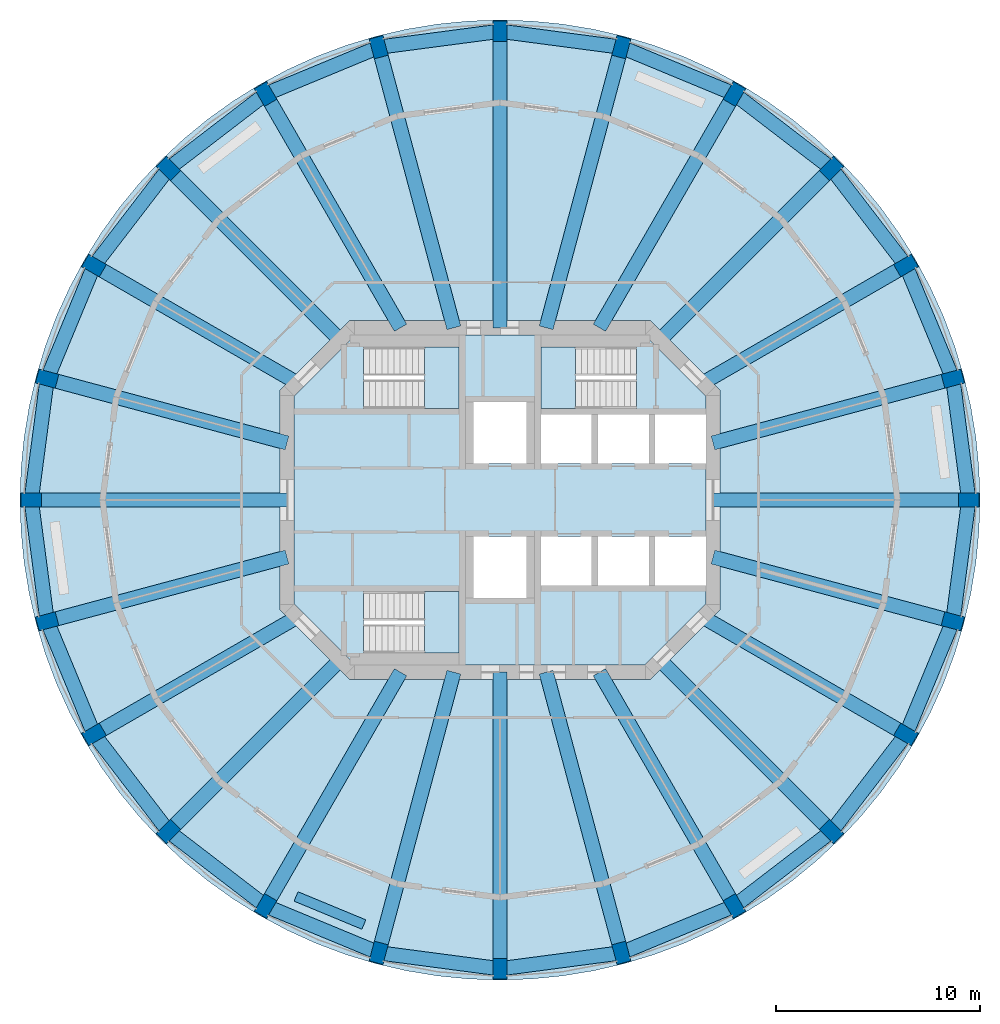
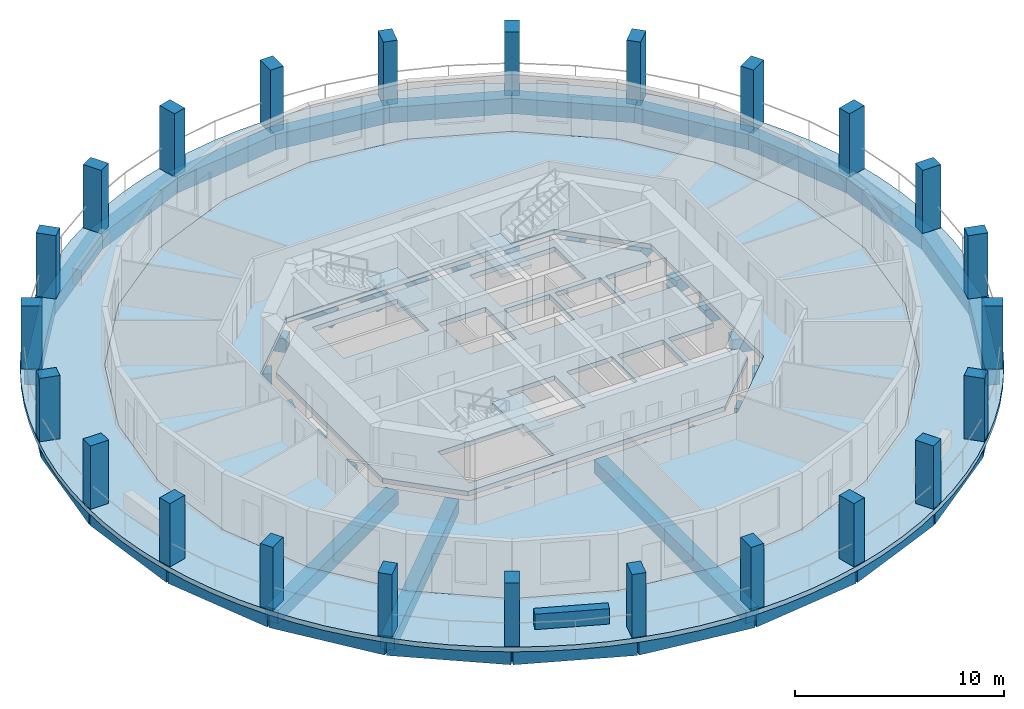
# One storey, part 1 of 8: 48 beams, 24 columns, 6 slabs, 1 wall, 3 elements without a shape of their own.
"""IFC4 building model written with IfcOpenShell, lengths in metres."""

from ifc_helpers import new_model, si_unit, direction, frame, frame_2d, origin, origin_2d, place, context, subcontext, project, spatial, polyline, rectangle, outline, extrude, material, layer, layer_set, material_profile, profile_set, type_object, element, aggregate, save


model = new_model("IFC4")

# Units and contexts
model_context = context("Model", 3, precision=1e-05, world=origin(), true_north=direction((0.0, 1.0)))
body_context = subcontext(model_context, "Body", "Model", "MODEL_VIEW")
ifc_project = project(units=[si_unit("LENGTHUNIT", "METRE"), si_unit("AREAUNIT", "SQUARE_METRE"), si_unit("VOLUMEUNIT", "CUBIC_METRE"), si_unit("PLANEANGLEUNIT", "RADIAN"), si_unit("MASSUNIT", "GRAM", prefix="KILO")], contexts=[model_context])

# Site, building, storey
site_placement = place(None, origin())
site = spatial("IfcSite", under=ifc_project, at=site_placement, CompositionType="ELEMENT")
building_placement = place(site_placement, origin())
building = spatial("IfcBuilding", under=site, at=building_placement, Name="Torre Triforio", CompositionType="ELEMENT")
storey_placement = place(building_placement, frame((0.0, 0.0, 200.199951171875)))
storey = spatial("IfcBuildingStorey", under=building, at=storey_placement, Name="L45", CompositionType="ELEMENT", Elevation=200.199951171875)

# Columns
ifc_material_1 = material(Name="Concrete C50", Category="concrete")
ifc_material_profile_1 = material_profile(ifc_material_1, rectangle(XDim=0.699951171875, YDim=1.0, at=origin_2d()), Name="RC 700x1000")
ifc_profile_set_1 = profile_set([ifc_material_profile_1], Name="Concrete C50")
column_type = type_object("IfcColumnType", Name="Pier RC 700x1000 C50", PredefinedType="COLUMN", material=ifc_profile_set_1)
for number, where, z_axis, x_axis, name in (
    (1, (23.0, 0.0, 0.0), (0.0, 0.0, 1.0), (0.0, 1.0, 0.0), "COL.R.L45.00"),
    (2, (22.21630859375, 5.952880859375, 0.0), (0.0, 0.0, 1.0), (-0.258819045103, 0.965925826289, 0.0), "COL.R.L45.01"),
    (3, (19.918701171875, 11.5, 0.0), (0.0, 0.0, 1.0), (-0.5, 0.866025403784, 0.0), "COL.R.L45.02"),
    (4, (16.263427734375, 16.263427734375, 0.0), (0.0, 0.0, 1.0), (-0.707106781187, 0.707106781187, 0.0), "COL.R.L45.03"),
    (5, (11.5, 19.918701171875, 0.0), (0.0, 0.0, 1.0), (-0.866025403784, 0.5, 0.0), "COL.R.L45.04"),
    (6, (5.952880859375, 22.21630859375, 0.0), (0.0, 0.0, 1.0), (-0.965925826289, 0.258819045103, 0.0), "COL.R.L45.05"),
    (7, (0.0, 23.0, 0.0), (0.0, 0.0, 1.0), (-1.0, 0.0, 0.0), "COL.R.L45.06"),
    (8, (-5.952880859375, 22.21630859375, 0.0), (0.0, 0.0, 1.0), (-0.965925826289, -0.258819045103, 0.0), "COL.R.L45.07"),
    (9, (-11.5, 19.918701171875, 0.0), (0.0, 0.0, 1.0), (-0.866025403784, -0.5, 0.0), "COL.R.L45.08"),
    (10, (-16.263427734375, 16.263427734375, 0.0), (0.0, 0.0, 1.0), (-0.707106781187, -0.707106781187, 0.0), "COL.R.L45.09"),
    (11, (-19.918701171875, 11.5, 0.0), (0.0, 0.0, 1.0), (-0.5, -0.866025403784, 0.0), "COL.R.L45.10"),
    (12, (-22.21630859375, 5.952880859375, 0.0), (0.0, 0.0, 1.0), (-0.258819045103, -0.965925826289, 0.0), "COL.R.L45.11"),
    (13, (-23.0, 0.0, 0.0), (0.0, 0.0, 1.0), (0.0, -1.0, 0.0), "COL.R.L45.12"),
    (14, (-22.21630859375, -5.952880859375, 0.0), (0.0, 0.0, 1.0), (0.258819045103, -0.965925826289, 0.0), "COL.R.L45.13"),
    (15, (-19.918701171875, -11.5, 0.0), (0.0, 0.0, 1.0), (0.5, -0.866025403784, 0.0), "COL.R.L45.14"),
    (16, (-16.263427734375, -16.263427734375, 0.0), (0.0, 0.0, 1.0), (0.707106781187, -0.707106781187, 0.0), "COL.R.L45.15"),
    (17, (-11.5, -19.918701171875, 0.0), (0.0, 0.0, 1.0), (0.866025403784, -0.5, 0.0), "COL.R.L45.16"),
    (18, (-5.952880859375, -22.21630859375, 0.0), (0.0, 0.0, 1.0), (0.965925826289, -0.258819045103, 0.0), "COL.R.L45.17"),
    (19, (0.0, -23.0, 0.0), (0.0, 0.0, 1.0), (1.0, 0.0, 0.0), "COL.R.L45.18"),
    (20, (5.952880859375, -22.21630859375, 0.0), (0.0, 0.0, 1.0), (0.965925826289, 0.258819045103, 0.0), "COL.R.L45.19"),
    (21, (11.5, -19.918701171875, 0.0), (0.0, 0.0, 1.0), (0.866025403784, 0.5, 0.0), "COL.R.L45.20"),
    (22, (16.263427734375, -16.263427734375, 0.0), (0.0, 0.0, 1.0), (0.707106781187, 0.707106781187, 0.0), "COL.R.L45.21"),
    (23, (19.918701171875, -11.5, 0.0), (0.0, 0.0, 1.0), (0.5, 0.866025403784, 0.0), "COL.R.L45.22"),
    (24, (22.21630859375, -5.952880859375, 0.0), (0.0, 0.0, 1.0), (0.258819045103, 0.965925826289, 0.0), "COL.R.L45.23"),
):
    element("IfcColumn", number, at=place(storey_placement, frame(where, z_axis=z_axis, x_axis=x_axis)), inside=storey, type_object=column_type, Name=name, PredefinedType="COLUMN", context=body_context, shape_type="SweptSolid", body=[
        extrude(rectangle(XDim=0.699951171875, YDim=1.0, at=origin_2d()), origin(), (0.0, 0.0, 1.0), 3.699951171875),
    ])

# Beams
ifc_material_2 = material(Name="Concrete C40", Category="concrete")
ifc_material_profile_2 = material_profile(ifc_material_2, rectangle(XDim=0.699951171875, YDim=0.800048828125, at=origin_2d()), Name="RC 700x800")
ifc_profile_set_2 = profile_set([ifc_material_profile_2], Name="Concrete C40")
beam_type_1 = type_object("IfcBeamType", Name="Radial beam RC 700x800 C40", PredefinedType="BEAM", material=ifc_profile_set_2)
beam_1_placement = place(storey_placement, frame((10.449951171875, 0.0, -0.679931640625), z_axis=(1.0, 0.0, 0.0), x_axis=(0.0, 1.0, 0.0)))
element("IfcBeam", 25, at=beam_1_placement, inside=storey, type_object=beam_type_1, Name="BM.R.L45.00", PredefinedType="BEAM", context=body_context, shape_type="SweptSolid", body=[
    extrude(rectangle(XDim=0.699951171875, YDim=0.800048828125, at=origin_2d()), origin(), (0.0, 0.0, 1.0), 12.550048828125),
])
beam_2_placement = place(storey_placement, frame((10.449951171875, 2.800048828125, -0.679931640625), z_axis=(0.965924880947, 0.258822573141, 0.0), x_axis=(-0.258822573141, 0.965924880947, 0.0)))
element("IfcBeam", 26, at=beam_2_placement, inside=storey, type_object=beam_type_1, Name="BM.R.L45.01", PredefinedType="BEAM", context=body_context, shape_type="SweptSolid", body=[
    extrude(rectangle(XDim=0.699951171875, YDim=0.800048828125, at=origin_2d()), origin(), (0.0, 0.0, 1.0), 12.181396484375),
])
beam_3_placement = place(storey_placement, frame((9.9501953125, 5.744873046875, -0.679931640625), z_axis=(0.866032648629, 0.499987451351, 0.0), x_axis=(-0.499987451351, 0.866032648629, 0.0)))
element("IfcBeam", 27, at=beam_3_placement, inside=storey, type_object=beam_type_1, Name="BM.R.L45.02", PredefinedType="BEAM", context=body_context, shape_type="SweptSolid", body=[
    extrude(rectangle(XDim=0.699951171875, YDim=0.800048828125, at=origin_2d()), origin(), (0.0, 0.0, 1.0), 11.510498046875),
])
beam_4_placement = place(storey_placement, frame((7.847412109375, 7.847412109375, -0.679931640625), z_axis=(0.707106781187, 0.707106781187, 0.0), x_axis=(-0.707106781187, 0.707106781187, 0.0)))
element("IfcBeam", 28, at=beam_4_placement, inside=storey, type_object=beam_type_1, Name="BM.R.L45.03", PredefinedType="BEAM", context=body_context, shape_type="SweptSolid", body=[
    extrude(rectangle(XDim=0.699951171875, YDim=0.800048828125, at=origin_2d()), origin(), (0.0, 0.0, 1.0), 11.902099609375),
])
beam_5_placement = place(storey_placement, frame((4.878662109375, 8.449951171875, -0.679931640625), z_axis=(0.499991617607, 0.866030243307, 0.0), x_axis=(-0.866030243307, 0.499991617607, 0.0)))
element("IfcBeam", 29, at=beam_5_placement, inside=storey, type_object=beam_type_1, Name="BM.R.L45.04", PredefinedType="BEAM", context=body_context, shape_type="SweptSolid", body=[
    extrude(rectangle(XDim=0.699951171875, YDim=0.800048828125, at=origin_2d()), origin(), (0.0, 0.0, 1.0), 13.242919921875),
])
beam_6_placement = place(storey_placement, frame((2.26416015625, 8.449951171875, -0.679931640625), z_axis=(0.258821424719, 0.96592518867, 0.0), x_axis=(-0.96592518867, 0.258821424719, 0.0)))
element("IfcBeam", 30, at=beam_6_placement, inside=storey, type_object=beam_type_1, Name="BM.R.L45.05", PredefinedType="BEAM", context=body_context, shape_type="SweptSolid", body=[
    extrude(rectangle(XDim=0.699951171875, YDim=0.800048828125, at=origin_2d()), origin(), (0.0, 0.0, 1.0), 14.251953125),
])
beam_7_placement = place(storey_placement, frame((0.0, 8.449951171875, -0.679931640625), z_axis=(0.0, 1.0, 0.0), x_axis=(-1.0, 0.0, 0.0)))
element("IfcBeam", 31, at=beam_7_placement, inside=storey, type_object=beam_type_1, Name="BM.R.L45.06", PredefinedType="BEAM", context=body_context, shape_type="SweptSolid", body=[
    extrude(rectangle(XDim=0.699951171875, YDim=0.800048828125, at=origin_2d()), origin(), (0.0, 0.0, 1.0), 14.550048828125),
])
beam_8_placement = place(storey_placement, frame((-2.26416015625, 8.449951171875, -0.679931640625), z_axis=(-0.258821424719, 0.96592518867, 0.0), x_axis=(-0.96592518867, -0.258821424719, 0.0)))
element("IfcBeam", 32, at=beam_8_placement, inside=storey, type_object=beam_type_1, Name="BM.R.L45.07", PredefinedType="BEAM", context=body_context, shape_type="SweptSolid", body=[
    extrude(rectangle(XDim=0.699951171875, YDim=0.800048828125, at=origin_2d()), origin(), (0.0, 0.0, 1.0), 14.251953125),
])
beam_9_placement = place(storey_placement, frame((-4.878662109375, 8.449951171875, -0.679931640625), z_axis=(-0.499991617607, 0.866030243307, 0.0), x_axis=(-0.866030243307, -0.499991617607, 0.0)))
element("IfcBeam", 33, at=beam_9_placement, inside=storey, type_object=beam_type_1, Name="BM.R.L45.08", PredefinedType="BEAM", context=body_context, shape_type="SweptSolid", body=[
    extrude(rectangle(XDim=0.699951171875, YDim=0.800048828125, at=origin_2d()), origin(), (0.0, 0.0, 1.0), 13.242919921875),
])
beam_10_placement = place(storey_placement, frame((-7.847412109375, 7.847412109375, -0.679931640625), z_axis=(-0.707106781187, 0.707106781187, 0.0), x_axis=(-0.707106781187, -0.707106781187, 0.0)))
element("IfcBeam", 34, at=beam_10_placement, inside=storey, type_object=beam_type_1, Name="BM.R.L45.09", PredefinedType="BEAM", context=body_context, shape_type="SweptSolid", body=[
    extrude(rectangle(XDim=0.699951171875, YDim=0.800048828125, at=origin_2d()), origin(), (0.0, 0.0, 1.0), 11.902099609375),
])
beam_11_placement = place(storey_placement, frame((-9.9501953125, 5.744873046875, -0.679931640625), z_axis=(-0.866032648629, 0.499987451351, 0.0), x_axis=(-0.499987451351, -0.866032648629, 0.0)))
element("IfcBeam", 35, at=beam_11_placement, inside=storey, type_object=beam_type_1, Name="BM.R.L45.10", PredefinedType="BEAM", context=body_context, shape_type="SweptSolid", body=[
    extrude(rectangle(XDim=0.699951171875, YDim=0.800048828125, at=origin_2d()), origin(), (0.0, 0.0, 1.0), 11.510498046875),
])
beam_12_placement = place(storey_placement, frame((-10.449951171875, 2.800048828125, -0.679931640625), z_axis=(-0.965924880947, 0.258822573141, 0.0), x_axis=(-0.258822573141, -0.965924880947, 0.0)))
element("IfcBeam", 36, at=beam_12_placement, inside=storey, type_object=beam_type_1, Name="BM.R.L45.11", PredefinedType="BEAM", context=body_context, shape_type="SweptSolid", body=[
    extrude(rectangle(XDim=0.699951171875, YDim=0.800048828125, at=origin_2d()), origin(), (0.0, 0.0, 1.0), 12.181396484375),
])
beam_13_placement = place(storey_placement, frame((-10.449951171875, 0.0, -0.679931640625), z_axis=(-1.0, 0.0, 0.0), x_axis=(0.0, -1.0, 0.0)))
element("IfcBeam", 37, at=beam_13_placement, inside=storey, type_object=beam_type_1, Name="BM.R.L45.12", PredefinedType="BEAM", context=body_context, shape_type="SweptSolid", body=[
    extrude(rectangle(XDim=0.699951171875, YDim=0.800048828125, at=origin_2d()), origin(), (0.0, 0.0, 1.0), 12.550048828125),
])
beam_14_placement = place(storey_placement, frame((-10.449951171875, -2.800048828125, -0.679931640625), z_axis=(-0.965924880947, -0.258822573141, 0.0), x_axis=(0.258822573141, -0.965924880947, 0.0)))
element("IfcBeam", 38, at=beam_14_placement, inside=storey, type_object=beam_type_1, Name="BM.R.L45.13", PredefinedType="BEAM", context=body_context, shape_type="SweptSolid", body=[
    extrude(rectangle(XDim=0.699951171875, YDim=0.800048828125, at=origin_2d()), origin(), (0.0, 0.0, 1.0), 12.181396484375),
])
beam_15_placement = place(storey_placement, frame((-9.9501953125, -5.744873046875, -0.679931640625), z_axis=(-0.866032648629, -0.499987451351, 0.0), x_axis=(0.499987451351, -0.866032648629, 0.0)))
element("IfcBeam", 39, at=beam_15_placement, inside=storey, type_object=beam_type_1, Name="BM.R.L45.14", PredefinedType="BEAM", context=body_context, shape_type="SweptSolid", body=[
    extrude(rectangle(XDim=0.699951171875, YDim=0.800048828125, at=origin_2d()), origin(), (0.0, 0.0, 1.0), 11.510498046875),
])
beam_16_placement = place(storey_placement, frame((-7.847412109375, -7.847412109375, -0.679931640625), z_axis=(-0.707106781187, -0.707106781187, 0.0), x_axis=(0.707106781187, -0.707106781187, 0.0)))
element("IfcBeam", 40, at=beam_16_placement, inside=storey, type_object=beam_type_1, Name="BM.R.L45.15", PredefinedType="BEAM", context=body_context, shape_type="SweptSolid", body=[
    extrude(rectangle(XDim=0.699951171875, YDim=0.800048828125, at=origin_2d()), origin(), (0.0, 0.0, 1.0), 11.902099609375),
])
beam_17_placement = place(storey_placement, frame((-4.878662109375, -8.449951171875, -0.679931640625), z_axis=(-0.499991617607, -0.866030243307, 0.0), x_axis=(0.866030243307, -0.499991617607, 0.0)))
element("IfcBeam", 41, at=beam_17_placement, inside=storey, type_object=beam_type_1, Name="BM.R.L45.16", PredefinedType="BEAM", context=body_context, shape_type="SweptSolid", body=[
    extrude(rectangle(XDim=0.699951171875, YDim=0.800048828125, at=origin_2d()), origin(), (0.0, 0.0, 1.0), 13.242919921875),
])
beam_18_placement = place(storey_placement, frame((-2.26416015625, -8.449951171875, -0.679931640625), z_axis=(-0.258821424719, -0.96592518867, 0.0), x_axis=(0.96592518867, -0.258821424719, 0.0)))
element("IfcBeam", 42, at=beam_18_placement, inside=storey, type_object=beam_type_1, Name="BM.R.L45.17", PredefinedType="BEAM", context=body_context, shape_type="SweptSolid", body=[
    extrude(rectangle(XDim=0.699951171875, YDim=0.800048828125, at=origin_2d()), origin(), (0.0, 0.0, 1.0), 14.251953125),
])
beam_19_placement = place(storey_placement, frame((0.0, -8.449951171875, -0.679931640625), z_axis=(0.0, -1.0, 0.0), x_axis=(1.0, 0.0, 0.0)))
element("IfcBeam", 43, at=beam_19_placement, inside=storey, type_object=beam_type_1, Name="BM.R.L45.18", PredefinedType="BEAM", context=body_context, shape_type="SweptSolid", body=[
    extrude(rectangle(XDim=0.699951171875, YDim=0.800048828125, at=origin_2d()), origin(), (0.0, 0.0, 1.0), 14.550048828125),
])
beam_20_placement = place(storey_placement, frame((2.26416015625, -8.449951171875, -0.679931640625), z_axis=(0.258821424719, -0.96592518867, 0.0), x_axis=(0.96592518867, 0.258821424719, 0.0)))
element("IfcBeam", 44, at=beam_20_placement, inside=storey, type_object=beam_type_1, Name="BM.R.L45.19", PredefinedType="BEAM", context=body_context, shape_type="SweptSolid", body=[
    extrude(rectangle(XDim=0.699951171875, YDim=0.800048828125, at=origin_2d()), origin(), (0.0, 0.0, 1.0), 14.251953125),
])
beam_21_placement = place(storey_placement, frame((4.878662109375, -8.449951171875, -0.679931640625), z_axis=(0.499991617607, -0.866030243307, 0.0), x_axis=(0.866030243307, 0.499991617607, 0.0)))
element("IfcBeam", 45, at=beam_21_placement, inside=storey, type_object=beam_type_1, Name="BM.R.L45.20", PredefinedType="BEAM", context=body_context, shape_type="SweptSolid", body=[
    extrude(rectangle(XDim=0.699951171875, YDim=0.800048828125, at=origin_2d()), origin(), (0.0, 0.0, 1.0), 13.242919921875),
])
beam_22_placement = place(storey_placement, frame((7.847412109375, -7.847412109375, -0.679931640625), z_axis=(0.707106781187, -0.707106781187, 0.0), x_axis=(0.707106781187, 0.707106781187, 0.0)))
element("IfcBeam", 46, at=beam_22_placement, inside=storey, type_object=beam_type_1, Name="BM.R.L45.21", PredefinedType="BEAM", context=body_context, shape_type="SweptSolid", body=[
    extrude(rectangle(XDim=0.699951171875, YDim=0.800048828125, at=origin_2d()), origin(), (0.0, 0.0, 1.0), 11.902099609375),
])
beam_23_placement = place(storey_placement, frame((9.9501953125, -5.744873046875, -0.679931640625), z_axis=(0.866032648629, -0.499987451351, 0.0), x_axis=(0.499987451351, 0.866032648629, 0.0)))
element("IfcBeam", 47, at=beam_23_placement, inside=storey, type_object=beam_type_1, Name="BM.R.L45.22", PredefinedType="BEAM", context=body_context, shape_type="SweptSolid", body=[
    extrude(rectangle(XDim=0.699951171875, YDim=0.800048828125, at=origin_2d()), origin(), (0.0, 0.0, 1.0), 11.510498046875),
])
beam_24_placement = place(storey_placement, frame((10.449951171875, -2.800048828125, -0.679931640625), z_axis=(0.965924880947, -0.258822573141, 0.0), x_axis=(0.258822573141, 0.965924880947, 0.0)))
element("IfcBeam", 48, at=beam_24_placement, inside=storey, type_object=beam_type_1, Name="BM.R.L45.23", PredefinedType="BEAM", context=body_context, shape_type="SweptSolid", body=[
    extrude(rectangle(XDim=0.699951171875, YDim=0.800048828125, at=origin_2d()), origin(), (0.0, 0.0, 1.0), 12.181396484375),
])
ifc_material_profile_3 = material_profile(ifc_material_2, rectangle(XDim=0.699951171875, YDim=0.89990234375, at=origin_2d()), Name="RC 700x900")
ifc_profile_set_3 = profile_set([ifc_material_profile_3], Name="Concrete C40")
beam_type_2 = type_object("IfcBeamType", Name="Spandrel beam RC 700x900 C40", PredefinedType="SPANDREL", material=ifc_profile_set_3)
for number, where, z_axis, x_axis, name in (
    (49, (23.0, 0.0, -0.72998046875), (-0.130522880875, 0.991445297315, 0.0), (-0.991445297315, -0.130522880875, 0.0), "BM.S.L45.00"),
    (50, (22.21630859375, 5.952880859375, -0.72998046875), (-0.382671411433, 0.923884511653, 0.0), (-0.923884511653, -0.382671411433, 0.0), "BM.S.L45.01"),
    (51, (19.918701171875, 11.5, -0.72998046875), (-0.608778912074, 0.793339924758, 0.0), (-0.793339924758, -0.608778912074, 0.0), "BM.S.L45.02"),
    (52, (16.263427734375, 16.263427734375, -0.72998046875), (-0.793339924758, 0.608778912074, 0.0), (-0.608778912074, -0.793339924758, 0.0), "BM.S.L45.03"),
    (53, (11.5, 19.918701171875, -0.72998046875), (-0.923884511653, 0.382671411433, 0.0), (-0.382671411433, -0.923884511653, 0.0), "BM.S.L45.04"),
    (54, (5.952880859375, 22.21630859375, -0.72998046875), (-0.991445297315, 0.130522880875, 0.0), (-0.130522880875, -0.991445297315, 0.0), "BM.S.L45.05"),
    (55, (0.0, 23.0, -0.72998046875), (-0.991445297315, -0.130522880875, 0.0), (0.130522880875, -0.991445297315, 0.0), "BM.S.L45.06"),
    (56, (-5.952880859375, 22.21630859375, -0.72998046875), (-0.923884511653, -0.382671411433, 0.0), (0.382671411433, -0.923884511653, 0.0), "BM.S.L45.07"),
    (57, (-11.5, 19.918701171875, -0.72998046875), (-0.793339924758, -0.608778912074, 0.0), (0.608778912074, -0.793339924758, 0.0), "BM.S.L45.08"),
    (58, (-16.263427734375, 16.263427734375, -0.72998046875), (-0.608778912074, -0.793339924758, 0.0), (0.793339924758, -0.608778912074, 0.0), "BM.S.L45.09"),
    (59, (-19.918701171875, 11.5, -0.72998046875), (-0.382671411433, -0.923884511653, 0.0), (0.923884511653, -0.382671411433, 0.0), "BM.S.L45.10"),
    (60, (-22.21630859375, 5.952880859375, -0.72998046875), (-0.130522880875, -0.991445297315, 0.0), (0.991445297315, -0.130522880875, 0.0), "BM.S.L45.11"),
    (61, (-23.0, 0.0, -0.72998046875), (0.130522880875, -0.991445297315, 0.0), (0.991445297315, 0.130522880875, 0.0), "BM.S.L45.12"),
    (62, (-22.21630859375, -5.952880859375, -0.72998046875), (0.382671411433, -0.923884511653, 0.0), (0.923884511653, 0.382671411433, 0.0), "BM.S.L45.13"),
    (63, (-19.918701171875, -11.5, -0.72998046875), (0.608778912074, -0.793339924758, 0.0), (0.793339924758, 0.608778912074, 0.0), "BM.S.L45.14"),
    (64, (-16.263427734375, -16.263427734375, -0.72998046875), (0.793339924758, -0.608778912074, 0.0), (0.608778912074, 0.793339924758, 0.0), "BM.S.L45.15"),
    (65, (-11.5, -19.918701171875, -0.72998046875), (0.923884511653, -0.382671411433, 0.0), (0.382671411433, 0.923884511653, 0.0), "BM.S.L45.16"),
    (66, (-5.952880859375, -22.21630859375, -0.72998046875), (0.991445297315, -0.130522880875, 0.0), (0.130522880875, 0.991445297315, 0.0), "BM.S.L45.17"),
    (67, (0.0, -23.0, -0.72998046875), (0.991445297315, 0.130522880875, 0.0), (-0.130522880875, 0.991445297315, 0.0), "BM.S.L45.18"),
    (68, (5.952880859375, -22.21630859375, -0.72998046875), (0.923884511653, 0.382671411433, 0.0), (-0.382671411433, 0.923884511653, 0.0), "BM.S.L45.19"),
    (69, (11.5, -19.918701171875, -0.72998046875), (0.793339924758, 0.608778912074, 0.0), (-0.608778912074, 0.793339924758, 0.0), "BM.S.L45.20"),
    (70, (16.263427734375, -16.263427734375, -0.72998046875), (0.608778912074, 0.793339924758, 0.0), (-0.793339924758, 0.608778912074, 0.0), "BM.S.L45.21"),
    (71, (19.918701171875, -11.5, -0.72998046875), (0.382671411433, 0.923884511653, 0.0), (-0.923884511653, 0.382671411433, 0.0), "BM.S.L45.22"),
    (72, (22.21630859375, -5.952880859375, -0.72998046875), (0.130522880875, 0.991445297315, 0.0), (-0.991445297315, 0.130522880875, 0.0), "BM.S.L45.23"),
):
    element("IfcBeam", number, at=place(storey_placement, frame(where, z_axis=z_axis, x_axis=x_axis)), inside=storey, type_object=beam_type_2, Name=name, PredefinedType="SPANDREL", context=body_context, shape_type="SweptSolid", body=[
        extrude(rectangle(XDim=0.699951171875, YDim=0.89990234375, at=origin_2d()), origin(), (0.0, 0.0, 1.0), 6.004150390625),
    ])

# Slabs
ifc_layer_1 = layer(ifc_material_1, 0.280029296875)
ifc_layer_set_1 = layer_set([ifc_layer_1], Name="Concrete C50")
slab_type_1 = type_object("IfcSlabType", Name="Core floor slab 280 mm C50 REI 120", PredefinedType="FLOOR", material=ifc_layer_set_1)
slab_1_placement = place(storey_placement, frame((0.0, 0.0, -0.280029296875)))
element("IfcSlab", 73, at=slab_1_placement, inside=storey, type_object=slab_type_1, Name="Core floor slab", PredefinedType="FLOOR", context=body_context, shape_type="SweptSolid", body=[
    extrude(outline(polyline([(10.10009765625, -5.10009765625), (7.10009765625, -8.10009765625), (-7.10009765625, -8.10009765625), (-10.10009765625, -5.10009765625), (-10.10009765625, 5.10009765625), (-7.10009765625, 8.10009765625), (7.10009765625, 8.10009765625), (10.10009765625, 5.10009765625), (10.10009765625, 4.199951171875), (7.60009765625, 4.199951171875), (7.60009765625, 1.800048828125), (10.10009765625, 1.800048828125), (10.10009765625, -1.800048828125), (7.60009765625, -1.800048828125), (7.60009765625, -4.199951171875), (10.10009765625, -4.199951171875), (10.10009765625, -5.10009765625)]), holes=[polyline([(-6.696044921875, -4.5), (-6.696044921875, -7.5), (-2.0, -7.5), (-2.0, -4.5), (-6.696044921875, -4.5)]), polyline([(-1.300048828125, -1.800048828125), (-1.300048828125, -4.800048828125), (1.300048828125, -4.800048828125), (1.300048828125, -1.800048828125), (-1.300048828125, -1.800048828125)]), polyline([(2.0, -1.800048828125), (2.0, -4.199951171875), (4.5, -4.199951171875), (4.5, -1.800048828125), (2.0, -1.800048828125)]), polyline([(4.5, 4.199951171875), (2.0, 4.199951171875), (2.0, 1.800048828125), (4.5, 1.800048828125), (4.5, 4.199951171875)]), polyline([(1.300048828125, 4.800048828125), (-1.300048828125, 4.800048828125), (-1.300048828125, 1.800048828125), (1.300048828125, 1.800048828125), (1.300048828125, 4.800048828125)]), polyline([(-6.696044921875, 7.5), (-6.696044921875, 4.5), (-2.0, 4.5), (-2.0, 7.5), (-6.696044921875, 7.5)]), polyline([(7.300048828125, -1.800048828125), (4.800048828125, -1.800048828125), (4.800048828125, -4.199951171875), (7.300048828125, -4.199951171875), (7.300048828125, -1.800048828125)]), polyline([(4.800048828125, 4.199951171875), (4.800048828125, 1.800048828125), (7.300048828125, 1.800048828125), (7.300048828125, 4.199951171875), (4.800048828125, 4.199951171875)]), polyline([(6.696044921875, 7.5), (2.0, 7.5), (2.0, 4.5), (6.696044921875, 4.5), (6.696044921875, 7.5)])]), origin(), (0.0, 0.0, 1.0), 0.280029296875),
])
ifc_layer_2 = layer(ifc_material_2, 0.280029296875)
ifc_layer_set_2 = layer_set([ifc_layer_2], Name="Concrete C40")
slab_type_2 = type_object("IfcSlabType", Name="Floor slab 280 C40", PredefinedType="FLOOR", material=ifc_layer_set_2)
slab_2_placement = place(storey_placement, frame((0.0, 0.0, -0.280029296875)))
element("IfcSlab", 74, at=slab_2_placement, inside=storey, type_object=slab_type_2, Name="SL.L45", PredefinedType="FLOOR", context=body_context, shape_type="SweptSolid", body=[
    extrude(outline(polyline([(16.887451171875, -9.75), (18.83544921875, -5.046875), (19.5, 0.0), (18.83544921875, 5.046875), (16.887451171875, 9.75), (13.78857421875, 13.78857421875), (9.75, 16.887451171875), (5.046875, 18.83544921875), (0.0, 19.5), (-5.046875, 18.83544921875), (-9.75, 16.887451171875), (-13.78857421875, 13.78857421875), (-16.887451171875, 9.75), (-18.83544921875, 5.046875), (-19.5, 0.0), (-18.83544921875, -5.046875), (-16.887451171875, -9.75), (-13.78857421875, -13.78857421875), (-9.75, -16.887451171875), (-5.046875, -18.83544921875), (0.0, -19.5), (5.046875, -18.83544921875), (9.75, -16.887451171875), (13.78857421875, -13.78857421875), (16.887451171875, -9.75)]), holes=[polyline([(10.800048828125, 5.389892578125), (10.800048828125, -5.389892578125), (7.389892578125, -8.800048828125), (-7.389892578125, -8.800048828125), (-10.800048828125, -5.389892578125), (-10.800048828125, 5.389892578125), (-7.389892578125, 8.800048828125), (7.389892578125, 8.800048828125), (10.800048828125, 5.389892578125)])]), origin(), (0.0, 0.0, 1.0), 0.280029296875),
])
ifc_layer_3 = layer(ifc_material_2, 0.280029296875)
ifc_layer_set_3 = layer_set([ifc_layer_3], Name="Concrete C40")
slab_type_3 = type_object("IfcSlabType", Name="Loggia slab 280 C40", PredefinedType="FLOOR", material=ifc_layer_set_3)
slab_3_placement = place(storey_placement, frame((0.0, 0.0, -0.280029296875)))
element("IfcSlab", 75, at=slab_3_placement, inside=storey, type_object=slab_type_3, Name="SL.L45.LG", PredefinedType="FLOOR", context=body_context, shape_type="SweptSolid", body=[
    extrude(outline(polyline([(23.49951171875, -1.540283203125), (23.550048828125, 0.0), (23.49951171875, 1.540283203125), (23.3486328125, 3.073974609375), (23.097412109375, 4.594482421875), (22.74755859375, 6.09521484375), (22.30029296875, 7.56982421875), (21.75732421875, 9.01220703125), (21.121337890625, 10.416015625), (20.39501953125, 11.77490234375), (19.5810546875, 13.083740234375), (18.683349609375, 14.33642578125), (17.705810546875, 15.527587890625), (16.65234375, 16.65234375), (15.527587890625, 17.705810546875), (14.33642578125, 18.683349609375), (13.083740234375, 19.5810546875), (11.77490234375, 20.39501953125), (10.416015625, 21.121337890625), (9.01220703125, 21.75732421875), (7.56982421875, 22.30029296875), (6.09521484375, 22.74755859375), (4.594482421875, 23.097412109375), (3.073974609375, 23.3486328125), (1.540283203125, 23.49951171875), (0.0, 23.550048828125), (-1.540283203125, 23.49951171875), (-3.073974609375, 23.3486328125), (-4.594482421875, 23.097412109375), (-6.09521484375, 22.74755859375), (-7.56982421875, 22.30029296875), (-9.01220703125, 21.75732421875), (-10.416015625, 21.121337890625), (-11.77490234375, 20.39501953125), (-13.083740234375, 19.5810546875), (-14.33642578125, 18.683349609375), (-15.527587890625, 17.705810546875), (-16.65234375, 16.65234375), (-17.705810546875, 15.527587890625), (-18.683349609375, 14.33642578125), (-19.5810546875, 13.083740234375), (-20.39501953125, 11.77490234375), (-21.121337890625, 10.416015625), (-21.75732421875, 9.01220703125), (-22.30029296875, 7.56982421875), (-22.74755859375, 6.09521484375), (-23.097412109375, 4.594482421875), (-23.3486328125, 3.073974609375), (-23.49951171875, 1.540283203125), (-23.550048828125, 0.0), (-23.49951171875, -1.540283203125), (-23.3486328125, -3.073974609375), (-23.097412109375, -4.594482421875), (-22.74755859375, -6.09521484375), (-22.30029296875, -7.56982421875), (-21.75732421875, -9.01220703125), (-21.121337890625, -10.416015625), (-20.39501953125, -11.77490234375), (-19.5810546875, -13.083740234375), (-18.683349609375, -14.33642578125), (-17.705810546875, -15.527587890625), (-16.65234375, -16.65234375), (-15.527587890625, -17.705810546875), (-14.33642578125, -18.683349609375), (-13.083740234375, -19.5810546875), (-11.77490234375, -20.39501953125), (-10.416015625, -21.121337890625), (-9.01220703125, -21.75732421875), (-7.56982421875, -22.30029296875), (-6.09521484375, -22.74755859375), (-4.594482421875, -23.097412109375), (-3.073974609375, -23.3486328125), (-1.540283203125, -23.49951171875), (0.0, -23.550048828125), (1.540283203125, -23.49951171875), (3.073974609375, -23.3486328125), (4.594482421875, -23.097412109375), (6.09521484375, -22.74755859375), (7.56982421875, -22.30029296875), (9.01220703125, -21.75732421875), (10.416015625, -21.121337890625), (11.77490234375, -20.39501953125), (13.083740234375, -19.5810546875), (14.33642578125, -18.683349609375), (15.527587890625, -17.705810546875), (16.65234375, -16.65234375), (17.705810546875, -15.527587890625), (18.683349609375, -14.33642578125), (19.5810546875, -13.083740234375), (20.39501953125, -11.77490234375), (21.121337890625, -10.416015625), (21.75732421875, -9.01220703125), (22.30029296875, -7.56982421875), (22.74755859375, -6.09521484375), (23.097412109375, -4.594482421875), (23.3486328125, -3.073974609375), (23.49951171875, -1.540283203125)]), holes=[polyline([(18.83544921875, 5.046875), (19.5, 0.0), (18.83544921875, -5.046875), (16.887451171875, -9.75), (13.78857421875, -13.78857421875), (9.75, -16.887451171875), (5.046875, -18.83544921875), (0.0, -19.5), (-5.046875, -18.83544921875), (-9.75, -16.887451171875), (-13.78857421875, -13.78857421875), (-16.887451171875, -9.75), (-18.83544921875, -5.046875), (-19.5, 0.0), (-18.83544921875, 5.046875), (-16.887451171875, 9.75), (-13.78857421875, 13.78857421875), (-9.75, 16.887451171875), (-5.046875, 18.83544921875), (0.0, 19.5), (5.046875, 18.83544921875), (9.75, 16.887451171875), (13.78857421875, 13.78857421875), (16.887451171875, 9.75), (18.83544921875, 5.046875)])]), origin(), (0.0, 0.0, 1.0), 0.280029296875),
])

# Stair, slab
stair_type = type_object("IfcStairType", Name="STAIR HALF-TURN", PredefinedType="HALF_TURN_STAIR", material=ifc_material_2)
stair_1_placement = place(storey_placement, origin())
stair_1 = element("IfcStair", 76, at=stair_1_placement, inside=storey, type_object=stair_type, Name="Exit stair 1", PredefinedType="HALF_TURN_STAIR")
ifc_layer_4 = layer(ifc_material_2, 0.199951171875)
ifc_layer_set_4 = layer_set([ifc_layer_4], Name="Concrete C40")
slab_type_4 = type_object("IfcSlabType", Name="STAIR LANDING 200", PredefinedType="LANDING", material=ifc_layer_set_4)
slab_4_placement = place(storey_placement, frame((0.0, 0.0, 1.650146484375)))
slab_4 = element("IfcSlab", 77, at=slab_4_placement, type_object=slab_type_4, Name="ST1 landing 1", PredefinedType="LANDING", context=body_context, shape_type="SweptSolid", body=[
    extrude(outline(polyline([(-2.0, 4.5), (-2.0, 7.5), (-3.699951171875, 7.5), (-3.699951171875, 4.5), (-2.0, 4.5)])), origin(), (0.0, 0.0, 1.0), 0.199951171875),
])
aggregate(stair_1, [slab_4])

stair_2_placement = place(storey_placement, origin())
stair_2 = element("IfcStair", 78, at=stair_2_placement, inside=storey, type_object=stair_type, Name="Exit stair 2", PredefinedType="HALF_TURN_STAIR")
slab_5_placement = place(storey_placement, frame((0.0, 0.0, 1.650146484375)))
slab_5 = element("IfcSlab", 79, at=slab_5_placement, type_object=slab_type_4, Name="ST2 landing 1", PredefinedType="LANDING", context=body_context, shape_type="SweptSolid", body=[
    extrude(outline(polyline([(3.699951171875, 4.5), (3.699951171875, 7.5), (2.0, 7.5), (2.0, 4.5), (3.699951171875, 4.5)])), origin(), (0.0, 0.0, 1.0), 0.199951171875),
])
aggregate(stair_2, [slab_5])

stair_3_placement = place(storey_placement, origin())
stair_3 = element("IfcStair", 80, at=stair_3_placement, inside=storey, type_object=stair_type, Name="Exit stair 3", PredefinedType="HALF_TURN_STAIR")
slab_6_placement = place(storey_placement, frame((0.0, 0.0, 1.650146484375)))
slab_6 = element("IfcSlab", 81, at=slab_6_placement, type_object=slab_type_4, Name="ST3 landing 1", PredefinedType="LANDING", context=body_context, shape_type="SweptSolid", body=[
    extrude(outline(polyline([(-2.0, -7.5), (-2.0, -4.5), (-3.699951171875, -4.5), (-3.699951171875, -7.5), (-2.0, -7.5)])), origin(), (0.0, 0.0, 1.0), 0.199951171875),
])
aggregate(stair_3, [slab_6])

# Wall
ifc_material_3 = material(Name="Limestone cladding", Category="masonry")
ifc_layer_5 = layer(ifc_material_3, 0.10009765625)
ifc_layer_6 = layer(ifc_material_2, 0.39990234375)
ifc_layer_set_5 = layer_set([ifc_layer_5, ifc_layer_6], Name="Limestone cladding / Concrete C40")
wall_type = type_object("IfcWallType", Name="Planter wall 500", PredefinedType="PARAPET", material=ifc_layer_set_5)
wall_placement = place(storey_placement, frame((-10.005615234375, -19.45166015625, 0.0), z_axis=(0.0, 0.0, 1.0), x_axis=(0.923885420167, -0.382669217998, 0.0)))
element("IfcWall", 82, at=wall_placement, inside=storey, type_object=wall_type, Name="Planter L45 bay 17", PredefinedType="PARAPET", context=body_context, shape_type="SweptSolid", body=[
    extrude(rectangle(XDim=3.60009765625, YDim=0.5, at=frame_2d((1.800048828125, 0.0))), origin(), (0.0, 0.0, 1.0), 0.900146484375),
])

save(model, "model.ifc")
